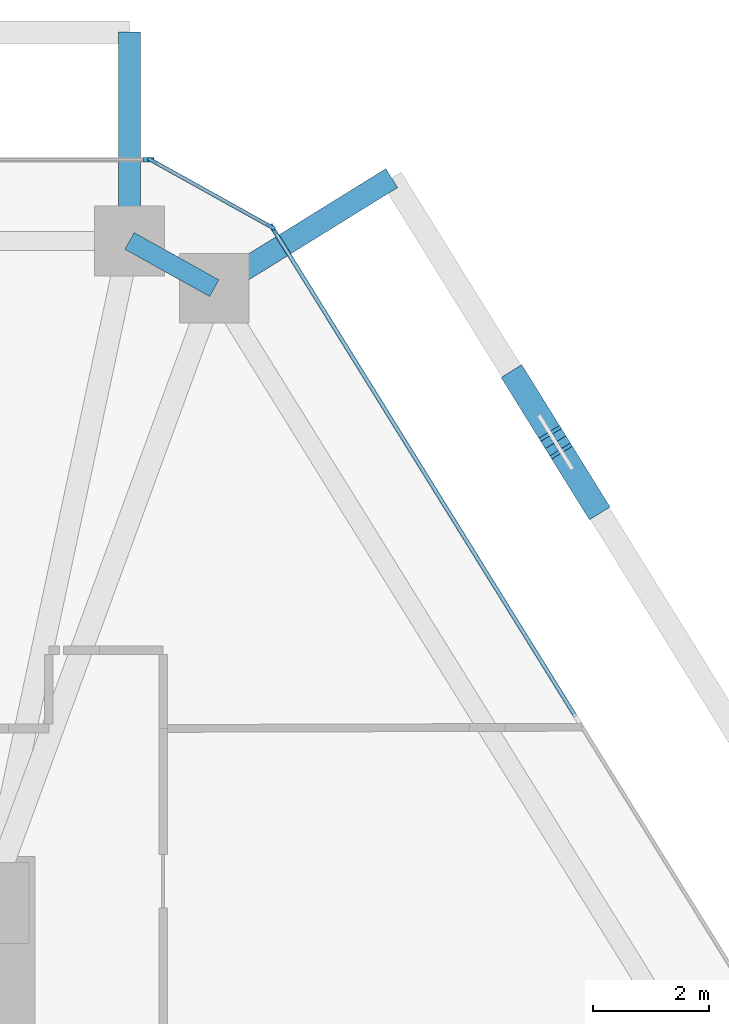
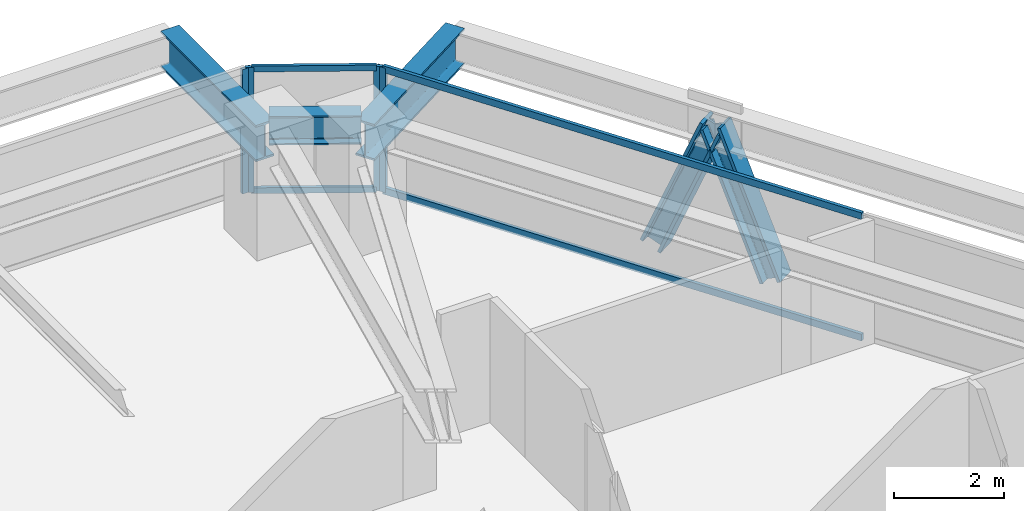
# One storey, part 8 of 17: 10 members, 3 beams, 3 elements without a shape of their own.
"""IFC4 building model written with IfcOpenShell, lengths in metres."""

from ifc_helpers import new_model, si_unit, direction, frame, origin, origin_2d, place, context, subcontext, project, spatial, rectangle, i_section, extrude, source, transform, mapped, material, layer, layer_set, material_profile, profile_set, type_object, type_shapes, element, aggregate, save


model = new_model("IFC4")

# Units and contexts
model_context = context("Model", 3, precision=1e-05, world=origin(), true_north=direction((0.0, 1.0)))
body_context = subcontext(model_context, "Body", "Model", "MODEL_VIEW")
ifc_project = project(units=[si_unit("LENGTHUNIT", "METRE"), si_unit("AREAUNIT", "SQUARE_METRE"), si_unit("VOLUMEUNIT", "CUBIC_METRE"), si_unit("PLANEANGLEUNIT", "RADIAN"), si_unit("MASSUNIT", "GRAM", prefix="KILO")], contexts=[model_context])

# Site, building, storey
site_placement = place(None, origin())
site = spatial("IfcSite", under=ifc_project, at=site_placement, CompositionType="ELEMENT")
building_placement = place(site_placement, origin())
building = spatial("IfcBuilding", under=site, at=building_placement, Name="Durnholm Broadcast Tower", CompositionType="ELEMENT")
storey_placement = place(building_placement, frame((0.0, 0.0, 137.10009765625)))
storey = spatial("IfcBuildingStorey", under=building, at=storey_placement, Name="L37", CompositionType="ELEMENT", Elevation=137.10009765625)

# Beams
ifc_material_1 = material(Name="Steel ASTM A992 Grade 50", Category="steel")
ifc_material_profile_1 = material_profile(ifc_material_1, i_section(OverallWidth=0.385009765625, OverallDepth=0.802978515625, WebThickness=0.023681640625, FlangeThickness=0.0419921875, FilletRadius=0.032958984375, at=origin_2d()), Name="W30X261")
ifc_profile_set_1 = profile_set([ifc_material_profile_1], Name="Steel ASTM A992 Grade 50")
beam_type_1 = type_object("IfcBeamType", Name="BM-EXO-TIE", PredefinedType="USERDEFINED", material=ifc_profile_set_1)
shared_shape_1 = source(origin(), body_context, "Body", "SweptSolid", [
    extrude(i_section(OverallWidth=0.385009765625, OverallDepth=0.802978515625, WebThickness=0.023681640625, FlangeThickness=0.0419921875, FilletRadius=0.032958984375, at=origin_2d()), origin(), (0.0, 0.0, 1.0), 3.4560546875),
])
beam_1_placement = place(storey_placement, frame((12.22998046875, 19.35888671875, 2.008544921875), z_axis=(0.0, 1.0, 0.0), x_axis=(-1.0, 0.0, 0.0)))
element("IfcBeam", 1, at=beam_1_placement, inside=storey, type_object=beam_type_1, Name="L37 exoskeleton stand-off tie bracket F4.1", ObjectType="GIRDER", PredefinedType="USERDEFINED", context=body_context, shape_type="MappedRepresentation", body=[
    mapped(shared_shape_1, transform((0.0, 0.0, 0.0), x_axis=(1.0, 0.0, 0.0), y_axis=(0.0, 1.0, 0.0), z_axis=(0.0, 0.0, 1.0), scale=1.0)),
])
shared_shape_2 = source(origin(), body_context, "Body", "SweptSolid", [
    extrude(i_section(OverallWidth=0.385009765625, OverallDepth=0.802978515625, WebThickness=0.023681640625, FlangeThickness=0.0419921875, FilletRadius=0.032958984375, at=origin_2d()), origin(), (0.0, 0.0, 1.0), 3.455810546875),
])
type_shapes(beam_type_1, [shared_shape_1, shared_shape_2])
beam_2_placement = place(storey_placement, frame((13.814697265625, 18.477294921875, 2.008544921875), z_axis=(0.849807128357, 0.527093772107, 0.0), x_axis=(-0.527093772107, 0.849807128357, 0.0)))
element("IfcBeam", 2, at=beam_2_placement, inside=storey, type_object=beam_type_1, Name="L37 exoskeleton stand-off tie bracket F3.2", ObjectType="GIRDER", PredefinedType="USERDEFINED", context=body_context, shape_type="MappedRepresentation", body=[
    mapped(shared_shape_2, transform((0.0, 0.0, 0.0), x_axis=(1.0, 0.0, 0.0), y_axis=(0.0, 1.0, 0.0), z_axis=(0.0, 0.0, 1.0), scale=1.0)),
])
ifc_material_profile_2 = material_profile(ifc_material_1, i_section(OverallWidth=0.3291015625, OverallDepth=0.635009765625, WebThickness=0.017822265625, FlangeThickness=0.031005859375, FilletRadius=0.02783203125, at=origin_2d()), Name="W24X162")
ifc_profile_set_2 = profile_set([ifc_material_profile_2], Name="Steel ASTM A992 Grade 50")
beam_type_2 = type_object("IfcBeamType", Name="STL-SP-W24X162", PredefinedType="SPANDREL", material=ifc_profile_set_2)
shared_shape_3 = source(origin(), body_context, "Body", "SweptSolid", [
    extrude(i_section(OverallWidth=0.3291015625, OverallDepth=0.635009765625, WebThickness=0.017822265625, FlangeThickness=0.031005859375, FilletRadius=0.02783203125, at=origin_2d()), origin(), (0.0, 0.0, 1.0), 1.67333984375),
])
type_shapes(beam_type_2, [shared_shape_3])
beam_3_placement = place(storey_placement, frame((12.22998046875, 19.215087890625, 2.427490234375), z_axis=(0.873799169188, -0.486286964586, 0.0), x_axis=(0.486286964586, 0.873799169188, 0.0)))
element("IfcBeam", 3, at=beam_3_placement, inside=storey, type_object=beam_type_2, Name="L37 perimeter spandrel girder 06", PredefinedType="SPANDREL", context=body_context, shape_type="MappedRepresentation", body=[
    mapped(shared_shape_3, transform((0.0, 0.0, 0.0), x_axis=(1.0, 0.0, 0.0), y_axis=(0.0, 1.0, 0.0), z_axis=(0.0, 0.0, 1.0), scale=1.0)),
])

# Members
ifc_material_2 = material(Name="Steel ASTM A913 Grade 65", Category="steel")
ifc_material_profile_3 = material_profile(ifc_material_2, i_section(OverallWidth=0.41845703125, OverallDepth=0.455078125, WebThickness=0.0419921875, FlangeThickness=0.067626953125, FilletRadius=0.030517578125, at=origin_2d()), Name="W14X370")
ifc_profile_set_3 = profile_set([ifc_material_profile_3], Name="Steel ASTM A913 Grade 65")
member_type_1 = type_object("IfcMemberType", Name="STL-DG-W14X370", PredefinedType="BRACE", material=ifc_profile_set_3)
shared_shape_4 = source(origin(), body_context, "Body", "SweptSolid", [
    extrude(i_section(OverallWidth=0.41845703125, OverallDepth=0.455078125, WebThickness=0.0419921875, FlangeThickness=0.067626953125, FilletRadius=0.030517578125, at=origin_2d()), origin(), (0.0, 0.0, 1.0), 3.243896484375),
])
member_1_placement = place(storey_placement, frame((18.92578125, 16.793212890625, -0.991455078125), z_axis=(0.200572087066, -0.323248448011, 0.924814186066), x_axis=(0.849716575602, 0.52723973783, 0.0)))
element("IfcMember", 4, at=member_1_placement, inside=storey, type_object=member_type_1, Name="L37 stand-off diagrid brace F3.D2.2", PredefinedType="BRACE", context=body_context, shape_type="MappedRepresentation", body=[
    mapped(shared_shape_4, transform((0.0, 0.0, 0.0), x_axis=(1.0, 0.0, 0.0), y_axis=(0.0, 1.0, 0.0), z_axis=(0.0, 0.0, 1.0), scale=1.0)),
])
shared_shape_5 = source(origin(), body_context, "Body", "SweptSolid", [
    extrude(i_section(OverallWidth=0.41845703125, OverallDepth=0.455078125, WebThickness=0.0419921875, FlangeThickness=0.067626953125, FilletRadius=0.030517578125, at=origin_2d()), origin(), (0.0, 0.0, 1.0), 3.24365234375),
])
type_shapes(member_type_1, [shared_shape_4, shared_shape_5])
member_2_placement = place(storey_placement, frame((20.2265625, 14.6962890625, -0.991455078125), z_axis=(-0.200432488747, 0.323190802359, 0.924864596968), x_axis=(-0.849838868368, -0.527042595823, 0.0)))
element("IfcMember", 5, at=member_2_placement, inside=storey, type_object=member_type_1, Name="L37 stand-off diagrid brace F3.D2.1", PredefinedType="BRACE", context=body_context, shape_type="MappedRepresentation", body=[
    mapped(shared_shape_5, transform((0.0, 0.0, 0.0), x_axis=(1.0, 0.0, 0.0), y_axis=(0.0, 1.0, 0.0), z_axis=(0.0, 0.0, 1.0), scale=1.0)),
])

# Curtain wall, members
ifc_material_3 = material(Name="Aluminium and Solar Control IGU", Category="aluminium")
ifc_layer_1 = layer(ifc_material_3, 0.1650390625)
ifc_layer_set_1 = layer_set([ifc_layer_1], Name="Aluminium and Solar Control IGU")
curtain_wall_type_1 = type_object("IfcCurtainWallType", Name="CW-SYS-5", PredefinedType="NOTDEFINED", material=ifc_layer_set_1)
curtain_wall_1_placement = place(storey_placement, origin())
curtain_wall_1 = element("IfcCurtainWall", 6, at=curtain_wall_1_placement, inside=storey, type_object=curtain_wall_type_1, Name="L37 curtain wall CW-CORNER CW-L37-CRN-05", PredefinedType="NOTDEFINED")
ifc_material_4 = material(Name="Aluminium 6063-T6", Category="aluminium")
ifc_material_profile_4 = material_profile(ifc_material_4, rectangle(XDim=0.06494140625, YDim=0.1650390625, at=origin_2d()), Name="CWM65X165")
ifc_profile_set_4 = profile_set([ifc_material_profile_4], Name="Aluminium 6063-T6")
member_type_2 = type_object("IfcMemberType", Name="CW-SYS-5-MUL", PredefinedType="MULLION", material=ifc_profile_set_4)
shared_shape_6 = source(origin(), body_context, "Body", "SweptSolid", [
    extrude(rectangle(XDim=0.06494140625, YDim=0.1650390625, at=origin_2d()), origin(), (0.0, 0.0, 1.0), 2.760009765625),
])
type_shapes(member_type_2, [shared_shape_6])
member_3_placement = place(storey_placement, frame((12.62158203125, 20.59912109375, 0.0), z_axis=(0.0, 0.0, 1.0), x_axis=(0.486244224192, 0.873822953715, 0.0)))
member_3 = element("IfcMember", 7, at=member_3_placement, type_object=member_type_2, Name="CW-CORNER mullion 1", PredefinedType="MULLION", context=body_context, shape_type="MappedRepresentation", body=[
    mapped(shared_shape_6, transform((0.0, 0.0, 0.0), x_axis=(1.0, 0.0, 0.0), y_axis=(0.0, 1.0, 0.0), z_axis=(0.0, 0.0, 1.0), scale=1.0)),
])
member_4_placement = place(storey_placement, frame((14.662109375, 19.4638671875, 0.0), z_axis=(0.0, 0.0, 1.0), x_axis=(0.486244224192, 0.873822953715, 0.0)))
member_4 = element("IfcMember", 8, at=member_4_placement, type_object=member_type_2, Name="CW-CORNER mullion 2", PredefinedType="MULLION", context=body_context, shape_type="MappedRepresentation", body=[
    mapped(shared_shape_6, transform((0.0, 0.0, 0.0), x_axis=(1.0, 0.0, 0.0), y_axis=(0.0, 1.0, 0.0), z_axis=(0.0, 0.0, 1.0), scale=1.0)),
])

# Curtain wall, member
ifc_layer_2 = layer(ifc_material_3, 0.18994140625)
ifc_layer_set_2 = layer_set([ifc_layer_2], Name="Aluminium and Solar Control IGU")
curtain_wall_type_2 = type_object("IfcCurtainWallType", Name="CW-SYS-3", PredefinedType="NOTDEFINED", material=ifc_layer_set_2)
curtain_wall_2_placement = place(storey_placement, origin())
curtain_wall_2 = element("IfcCurtainWall", 9, at=curtain_wall_2_placement, inside=storey, type_object=curtain_wall_type_2, Name="L37 curtain wall CW-Z12-VIS CW-L37-F04", PredefinedType="NOTDEFINED")
ifc_material_profile_5 = material_profile(ifc_material_4, rectangle(XDim=0.070068359375, YDim=0.18994140625, at=origin_2d()), Name="CWM70X190")
ifc_profile_set_5 = profile_set([ifc_material_profile_5], Name="Aluminium 6063-T6")
member_type_3 = type_object("IfcMemberType", Name="CW-SYS-3-MUL", PredefinedType="MULLION", material=ifc_profile_set_5)
shared_shape_7 = source(origin(), body_context, "Body", "SweptSolid", [
    extrude(rectangle(XDim=0.070068359375, YDim=0.18994140625, at=origin_2d()), origin(), (0.0, 0.0, 1.0), 2.760009765625),
])
type_shapes(member_type_3, [shared_shape_7])
member_5_placement = place(storey_placement, frame((12.55810546875, 20.614990234375, 0.0), z_axis=(0.0, 0.0, 1.0), x_axis=(0.0, 1.0, 0.0)))
member_5 = element("IfcMember", 10, at=member_5_placement, type_object=member_type_3, Name="CW-Z12-VIS mullion 3", PredefinedType="MULLION", context=body_context, shape_type="MappedRepresentation", body=[
    mapped(shared_shape_7, transform((0.0, 0.0, 0.0), x_axis=(1.0, 0.0, 0.0), y_axis=(0.0, 1.0, 0.0), z_axis=(0.0, 0.0, 1.0), scale=1.0)),
])
aggregate(curtain_wall_2, [member_5])

curtain_wall_3_placement = place(storey_placement, origin())
curtain_wall_3 = element("IfcCurtainWall", 11, at=curtain_wall_3_placement, inside=storey, type_object=curtain_wall_type_2, Name="L37 curtain wall CW-Z12-VIS CW-L37-F06", PredefinedType="NOTDEFINED")
member_6_placement = place(storey_placement, frame((14.708740234375, 19.418212890625, 0.0), z_axis=(0.0, 0.0, 1.0), x_axis=(0.849799925229, 0.527105385176, 0.0)))
member_6 = element("IfcMember", 12, at=member_6_placement, type_object=member_type_3, Name="CW-Z12-VIS mullion 1", PredefinedType="MULLION", context=body_context, shape_type="MappedRepresentation", body=[
    mapped(shared_shape_7, transform((0.0, 0.0, 0.0), x_axis=(1.0, 0.0, 0.0), y_axis=(0.0, 1.0, 0.0), z_axis=(0.0, 0.0, 1.0), scale=1.0)),
])

# Member
ifc_material_profile_6 = material_profile(ifc_material_4, rectangle(XDim=0.06494140625, YDim=0.1298828125, at=origin_2d()), Name="CWT65X130")
ifc_profile_set_6 = profile_set([ifc_material_profile_6], Name="Aluminium 6063-T6")
member_type_4 = type_object("IfcMemberType", Name="CW-SYS-5-TRN", PredefinedType="USERDEFINED", material=ifc_profile_set_6)
shared_shape_8 = source(origin(), body_context, "Body", "SweptSolid", [
    extrude(rectangle(XDim=0.06494140625, YDim=0.1298828125, at=origin_2d()), origin(), (0.0, 0.0, 1.0), 2.270263671875),
])
type_shapes(member_type_4, [shared_shape_8])
member_7_placement = place(storey_placement, frame((12.64990234375, 20.58349609375, 0.032470703125), z_axis=(0.873786708897, -0.486309353555, 0.0), x_axis=(0.486309353555, 0.873786708897, 0.0)))
member_7 = element("IfcMember", 13, at=member_7_placement, type_object=member_type_4, Name="CW-CORNER transom 1.1", ObjectType="TRANSOM", PredefinedType="USERDEFINED", context=body_context, shape_type="MappedRepresentation", body=[
    mapped(shared_shape_8, transform((0.0, 0.0, 0.0), x_axis=(1.0, 0.0, 0.0), y_axis=(0.0, 1.0, 0.0), z_axis=(0.0, 0.0, 1.0), scale=1.0)),
])

member_8_placement = place(storey_placement, frame((12.64990234375, 20.58349609375, 2.727294921875), z_axis=(0.873786708897, -0.486309353555, 0.0), x_axis=(0.486309353555, 0.873786708897, 0.0)))
member_8 = element("IfcMember", 14, at=member_8_placement, type_object=member_type_4, Name="CW-CORNER transom 1.2", ObjectType="TRANSOM", PredefinedType="USERDEFINED", context=body_context, shape_type="MappedRepresentation", body=[
    mapped(shared_shape_8, transform((0.0, 0.0, 0.0), x_axis=(1.0, 0.0, 0.0), y_axis=(0.0, 1.0, 0.0), z_axis=(0.0, 0.0, 1.0), scale=1.0)),
])

aggregate(curtain_wall_1, [member_3, member_4, member_7, member_8])

ifc_material_profile_7 = material_profile(ifc_material_4, rectangle(XDim=0.070068359375, YDim=0.14990234375, at=origin_2d()), Name="CWT70X150")
ifc_profile_set_7 = profile_set([ifc_material_profile_7], Name="Aluminium 6063-T6")
member_type_5 = type_object("IfcMemberType", Name="CW-SYS-3-TRN", PredefinedType="USERDEFINED", material=ifc_profile_set_7)
shared_shape_9 = source(origin(), body_context, "Body", "SweptSolid", [
    extrude(rectangle(XDim=0.070068359375, YDim=0.14990234375, at=origin_2d()), origin(), (0.0, 0.0, 1.0), 9.858642578125),
])
type_shapes(member_type_5, [shared_shape_9])
member_9_placement = place(storey_placement, frame((14.727294921875, 19.388427734375, 0.034912109375), z_axis=(0.527102081419, -0.849801974441, 0.0), x_axis=(0.849801974441, 0.527102081419, 0.0)))
member_9 = element("IfcMember", 15, at=member_9_placement, type_object=member_type_5, Name="CW-Z12-VIS transom 1.1", ObjectType="TRANSOM", PredefinedType="USERDEFINED", context=body_context, shape_type="MappedRepresentation", body=[
    mapped(shared_shape_9, transform((0.0, 0.0, 0.0), x_axis=(1.0, 0.0, 0.0), y_axis=(0.0, 1.0, 0.0), z_axis=(0.0, 0.0, 1.0), scale=1.0)),
])

member_10_placement = place(storey_placement, frame((14.727294921875, 19.388427734375, 2.724853515625), z_axis=(0.527102081419, -0.849801974441, 0.0), x_axis=(0.849801974441, 0.527102081419, 0.0)))
member_10 = element("IfcMember", 16, at=member_10_placement, type_object=member_type_5, Name="CW-Z12-VIS transom 1.2", ObjectType="TRANSOM", PredefinedType="USERDEFINED", context=body_context, shape_type="MappedRepresentation", body=[
    mapped(shared_shape_9, transform((0.0, 0.0, 0.0), x_axis=(1.0, 0.0, 0.0), y_axis=(0.0, 1.0, 0.0), z_axis=(0.0, 0.0, 1.0), scale=1.0)),
])

aggregate(curtain_wall_3, [member_6, member_9, member_10])

save(model, "model.ifc")
